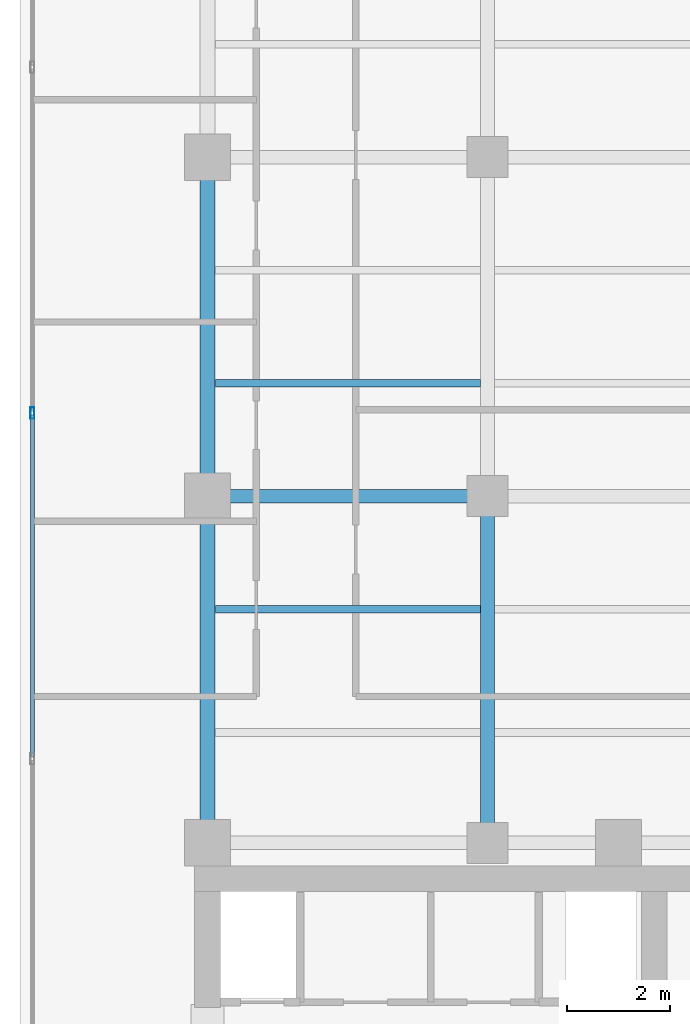
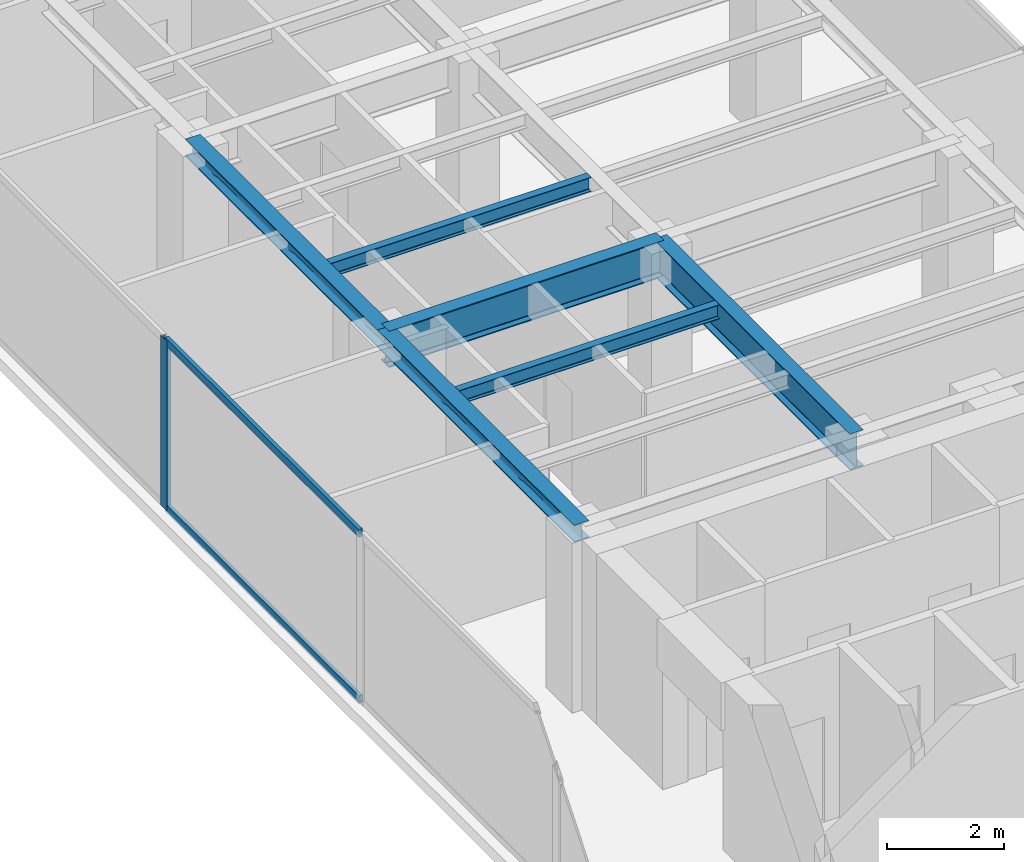
# One storey, part 8 of 24: 6 beams, 3 members, 1 element without a shape of its own.
"""IFC4 building model written with IfcOpenShell, lengths in metres."""

from ifc_helpers import new_model, si_unit, direction, frame, origin, origin_with_axes, origin_2d, place, context, subcontext, project, spatial, hollow_rectangle, i_section, extrude, source, transform, mapped, material, layer, layer_set, material_profile, profile_set, type_object, element, aggregate, save


model = new_model("IFC4")

# Units and contexts
model_context = context("Model", 3, precision=1e-05, world=origin(), true_north=direction((0.0, 1.0)))
body_context = subcontext(model_context, "Body", "Model", "MODEL_VIEW")
ifc_project = project(units=[si_unit("LENGTHUNIT", "METRE"), si_unit("AREAUNIT", "SQUARE_METRE"), si_unit("VOLUMEUNIT", "CUBIC_METRE"), si_unit("PLANEANGLEUNIT", "RADIAN"), si_unit("MASSUNIT", "GRAM", prefix="KILO")], contexts=[model_context])

# Site, building, storey
site_placement = place(None, origin())
site = spatial("IfcSite", under=ifc_project, at=site_placement, CompositionType="ELEMENT")
building_placement = place(site_placement, origin())
building = spatial("IfcBuilding", under=site, at=building_placement, Name="Kolvaren Waterfront Exchange", CompositionType="ELEMENT")
storey_placement = place(building_placement, frame((0.0, 0.0, 285.60009765625)))
storey = spatial("IfcBuildingStorey", under=building, at=storey_placement, Name="L73", CompositionType="ELEMENT", Elevation=285.60009765625)

# Beams
ifc_material_1 = material(Name="Steel S355", Category="steel")
ifc_material_profile_1 = material_profile(ifc_material_1, i_section(OverallWidth=0.300048828125, OverallDepth=0.360107421875, WebThickness=0.012451171875, FlangeThickness=0.0224609375, FilletRadius=0.027099609375, at=origin_2d()), Name="HEB360")
ifc_profile_set_1 = profile_set([ifc_material_profile_1], Name="Steel S355")
beam_type_1 = type_object("IfcBeamType", Name="STR-BM-HEB360", PredefinedType="SPANDREL", material=ifc_profile_set_1)
beam_1_placement = place(storey_placement, frame((7.449951171875, 24.449951171875, 3.3798828125), z_axis=(0.0, 1.0, 0.0), x_axis=(-1.0, 0.0, 0.0)))
element("IfcBeam", 1, at=beam_1_placement, inside=storey, type_object=beam_type_1, Name="L73 north-arm edge beam 1", PredefinedType="SPANDREL", context=body_context, shape_type="SweptSolid", body=[
    extrude(i_section(OverallWidth=0.300048828125, OverallDepth=0.360107421875, WebThickness=0.012451171875, FlangeThickness=0.0224609375, FilletRadius=0.027099609375, at=origin_2d()), origin(), (0.0, 0.0, 1.0), 6.75),
])
beam_2_placement = place(storey_placement, frame((7.449951171875, 31.199951171875, 3.3798828125), z_axis=(0.0, 1.0, 0.0), x_axis=(-1.0, 0.0, 0.0)))
element("IfcBeam", 2, at=beam_2_placement, inside=storey, type_object=beam_type_1, Name="L73 north-arm edge beam 2", PredefinedType="SPANDREL", context=body_context, shape_type="SweptSolid", body=[
    extrude(i_section(OverallWidth=0.300048828125, OverallDepth=0.360107421875, WebThickness=0.012451171875, FlangeThickness=0.0224609375, FilletRadius=0.027099609375, at=origin_2d()), origin(), (0.0, 0.0, 1.0), 6.60009765625),
])
ifc_material_profile_2 = material_profile(ifc_material_1, i_section(OverallWidth=0.14990234375, OverallDepth=0.300048828125, WebThickness=0.007080078125, FlangeThickness=0.0107421875, FilletRadius=0.014892578125, at=origin_2d()), Name="IPE300")
ifc_profile_set_2 = profile_set([ifc_material_profile_2], Name="Steel S355")
beam_type_2 = type_object("IfcBeamType", Name="STR-BM-IPE300", PredefinedType="JOIST", material=ifc_profile_set_2)
for number, where, z_axis, x_axis, name in (
    (3, (7.60205078125, 29.0, 3.409912109375), (1.0, 0.0, 0.0), (0.0, 1.0, 0.0), "L73 north-arm composite joist 2A"),
    (4, (7.60205078125, 33.39990234375, 3.409912109375), (1.0, 0.0, 0.0), (0.0, 1.0, 0.0), "L73 north-arm composite joist 3A"),
):
    element("IfcBeam", number, at=place(storey_placement, frame(where, z_axis=z_axis, x_axis=x_axis)), inside=storey, type_object=beam_type_2, Name=name, PredefinedType="JOIST", context=body_context, shape_type="SweptSolid", body=[
        extrude(i_section(OverallWidth=0.14990234375, OverallDepth=0.300048828125, WebThickness=0.007080078125, FlangeThickness=0.0107421875, FilletRadius=0.014892578125, at=origin_2d()), origin(), (0.0, 0.0, 1.0), 5.162353515625),
    ])
ifc_material_profile_3 = material_profile(ifc_material_1, i_section(OverallWidth=0.26708984375, OverallDepth=0.761962890625, WebThickness=0.014404296875, FlangeThickness=0.021484375, FilletRadius=0.01708984375, at=origin_2d()), Name="IPE750x173")
ifc_profile_set_3 = profile_set([ifc_material_profile_3], Name="Steel S355")
beam_type_3 = type_object("IfcBeamType", Name="STR-BM-IPE750", PredefinedType="BEAM", material=ifc_profile_set_3)
beam_3_placement = place(storey_placement, frame((7.449951171875, 31.199951171875, 3.178955078125), z_axis=(1.0, 0.0, 0.0), x_axis=(0.0, 1.0, 0.0)))
element("IfcBeam", 5, at=beam_3_placement, inside=storey, type_object=beam_type_3, Name="L73 north-arm girder 2A", PredefinedType="BEAM", context=body_context, shape_type="SweptSolid", body=[
    extrude(i_section(OverallWidth=0.26708984375, OverallDepth=0.761962890625, WebThickness=0.014404296875, FlangeThickness=0.021484375, FilletRadius=0.01708984375, at=origin_2d()), origin(), (0.0, 0.0, 1.0), 5.449951171875),
])
beam_4_placement = place(storey_placement, frame((12.89990234375, 24.449951171875, 3.178955078125), z_axis=(0.0, 1.0, 0.0), x_axis=(-1.0, 0.0, 0.0)))
element("IfcBeam", 6, at=beam_4_placement, inside=storey, type_object=beam_type_3, Name="L73 north-arm edge beam 1", PredefinedType="BEAM", context=body_context, shape_type="SweptSolid", body=[
    extrude(i_section(OverallWidth=0.26708984375, OverallDepth=0.761962890625, WebThickness=0.014404296875, FlangeThickness=0.021484375, FilletRadius=0.01708984375, at=origin_2d()), origin(), (0.0, 0.0, 1.0), 6.75),
])

# Curtain wall, members
ifc_material_2 = material(Name="Anodised aluminium 6063-T6", Category="aluminium")
ifc_layer = layer(ifc_material_2, 0.219970703125, Name="Anodised aluminium 6063-T6")
ifc_layer_set = layer_set([ifc_layer], Name="Anodised aluminium 6063-T6")
curtain_wall_type = type_object("IfcCurtainWallType", Name="ARC-CW-SYS2", PredefinedType="USERDEFINED", material=ifc_layer_set)
curtain_wall_placement = place(storey_placement, origin())
curtain_wall = element("IfcCurtainWall", 7, at=curtain_wall_placement, inside=storey, type_object=curtain_wall_type, Name="L73 stick curtain wall CW2 (CW-L73-W)", ObjectType="STICK CURTAIN WALL", PredefinedType="USERDEFINED")
ifc_material_profile_4 = material_profile(ifc_material_2, hollow_rectangle(XDim=0.080078125, YDim=0.219970703125, WallThickness=0.0048828125, at=origin_2d()), Name="ALU-MUL-220x80x5")
ifc_profile_set_4 = profile_set([ifc_material_profile_4], Name="Anodised aluminium 6063-T6")
member_type_1 = type_object("IfcMemberType", Name="ARC-CWM-220", PredefinedType="MULLION", material=ifc_profile_set_4)
shared_shape_1 = source(origin_with_axes(), body_context, "Body", "SweptSolid", [
    extrude(hollow_rectangle(XDim=0.080078125, YDim=0.219970703125, WallThickness=0.0048828125, at=origin_2d()), origin(), (0.0, 0.0, 1.0), 3.559814453125),
])
member_1_placement = place(storey_placement, frame((4.0400390625, 32.8193359375, 0.0), z_axis=(0.0, 0.0, 1.0), x_axis=(-1.0, 0.0, 0.0)))
member_1 = element("IfcMember", 8, at=member_1_placement, type_object=member_type_1, Name="CW2 mullion 5", PredefinedType="MULLION", context=body_context, shape_type="MappedRepresentation", body=[
    mapped(shared_shape_1, transform((0.0, 0.0, 0.0), x_axis=(1.0, 0.0, 0.0), y_axis=(0.0, 1.0, 0.0), z_axis=(0.0, 0.0, 1.0), scale=1.0)),
])
ifc_material_profile_5 = material_profile(ifc_material_2, hollow_rectangle(XDim=0.074951171875, YDim=0.159912109375, WallThickness=0.00439453125, at=origin_2d()), Name="ALU-TRN-160x75x4.5")
ifc_profile_set_5 = profile_set([ifc_material_profile_5], Name="Anodised aluminium 6063-T6")
member_type_2 = type_object("IfcMemberType", Name="ARC-CWT-160", PredefinedType="USERDEFINED", material=ifc_profile_set_5)
shared_shape_2 = source(origin_with_axes(), body_context, "Body", "SweptSolid", [
    extrude(hollow_rectangle(XDim=0.074951171875, YDim=0.159912109375, WallThickness=0.00439453125, at=origin_2d()), origin(), (0.0, 0.0, 1.0), 6.64990234375),
])
member_2_placement = place(storey_placement, frame((4.0400390625, 26.12939453125, 0.037353515625), z_axis=(0.0, 1.0, 0.0), x_axis=(-1.0, 0.0, 0.0)))
member_2 = element("IfcMember", 9, at=member_2_placement, type_object=member_type_2, Name="CW2 transom 4.1", ObjectType="TRANSOM", PredefinedType="USERDEFINED", context=body_context, shape_type="MappedRepresentation", body=[
    mapped(shared_shape_2, transform((0.0, 0.0, 0.0), x_axis=(1.0, 0.0, 0.0), y_axis=(0.0, 1.0, 0.0), z_axis=(0.0, 0.0, 1.0), scale=1.0)),
])
member_3_placement = place(storey_placement, frame((4.0400390625, 26.12939453125, 3.5224609375), z_axis=(0.0, 1.0, 0.0), x_axis=(-1.0, 0.0, 0.0)))
member_3 = element("IfcMember", 10, at=member_3_placement, type_object=member_type_2, Name="CW2 transom 4.2", ObjectType="TRANSOM", PredefinedType="USERDEFINED", context=body_context, shape_type="MappedRepresentation", body=[
    mapped(shared_shape_2, transform((0.0, 0.0, 0.0), x_axis=(1.0, 0.0, 0.0), y_axis=(0.0, 1.0, 0.0), z_axis=(0.0, 0.0, 1.0), scale=1.0)),
])
aggregate(curtain_wall, [member_1, member_2, member_3])

save(model, "model.ifc")
